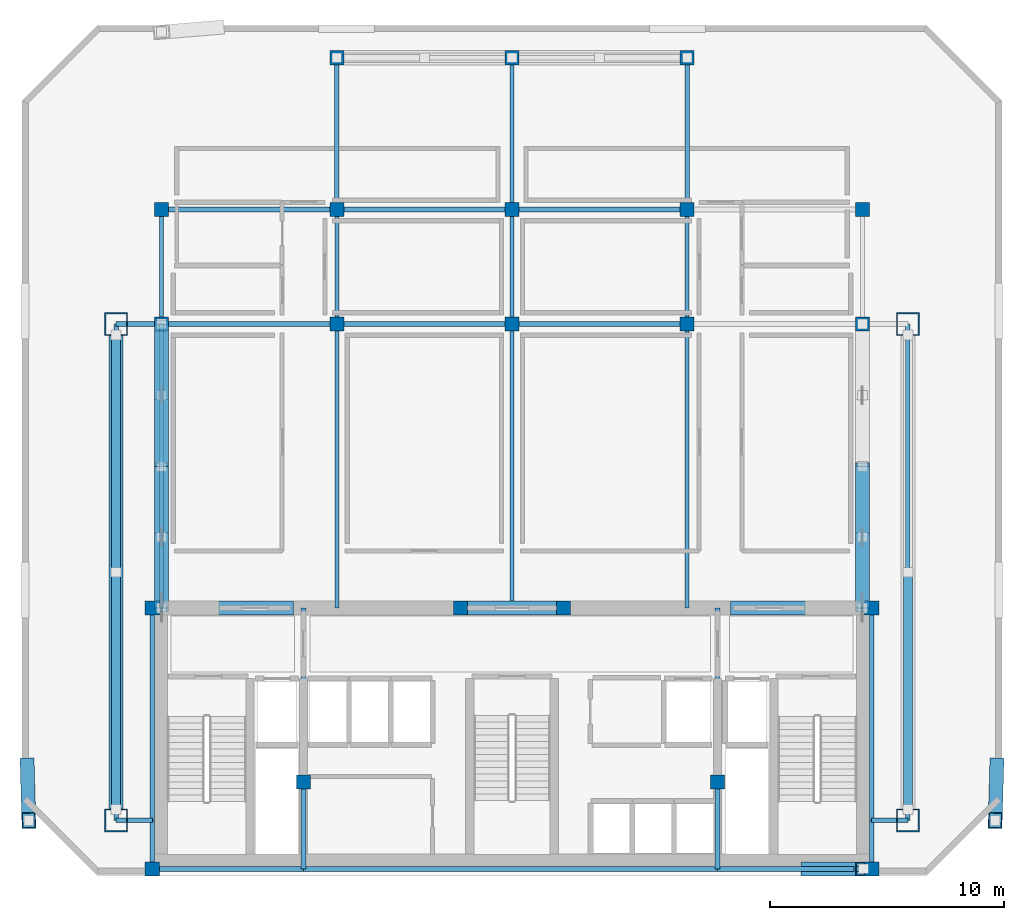
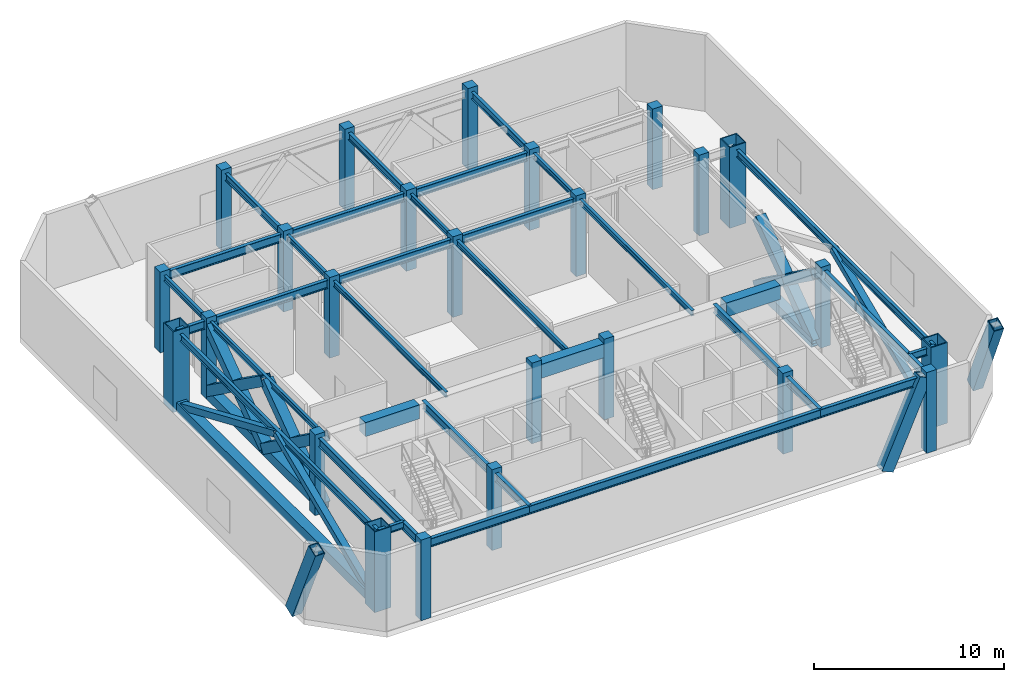
# One storey, part 1 of 7: 36 beams, 25 columns, 19 members.
"""IFC4 building model written with IfcOpenShell, lengths in metres."""

import ifcopenshell
import ifcopenshell.guid

model = None  # the IFC model being written
_history = None  # IfcOwnerHistory: only IFC2X3 demands one
_inside = {}  # id of a spatial element -> (the spatial element, [elements in it])
_under = {}  # id of a project, library or spatial element -> (it, [spatial elements below it])
_declared = {}  # id of a project -> (the project, [libraries it declares])
_typed = {}  # id of a type object -> (the type object, [elements of that type])
_made_of = {}  # id of a material, layer set ... -> (it, [elements and type objects made of it])


def new_model(schema):
    """Start an empty IFC model of exactly this schema.

    Asked for "IFC4X3", IfcOpenShell would pick the latest addendum, in which some entities
    have other attributes; the version numbers below select the first issue.
    IFC2X3 requires an IfcOwnerHistory on every rooted entity: one is made here for all.
    """
    global model, _history
    if schema == "IFC4X3":
        model = ifcopenshell.file(schema_version=(4, 3, 0, 0))
    else:
        model = ifcopenshell.file(schema=schema)
    _inside.clear()
    _under.clear()
    _declared.clear()
    _typed.clear()
    _made_of.clear()
    _history = None
    if model.schema == "IFC2X3":
        org = make("IfcOrganization", Name="unknown")
        user = make(
            "IfcPersonAndOrganization",
            ThePerson=make("IfcPerson", FamilyName="unknown"),
            TheOrganization=org,
        )
        app = make(
            "IfcApplication",
            ApplicationDeveloper=org,
            Version="unknown",
            ApplicationFullName="unknown",
            ApplicationIdentifier="unknown",
        )
        _history = make(
            "IfcOwnerHistory",
            OwningUser=user,
            OwningApplication=app,
            ChangeAction="ADDED",
            CreationDate=0,
        )
    return model


def make(cls, **values):
    """One entity of the class cls with the attributes given. An attribute that is None is left unset."""
    return model.create_entity(
        cls, **{name: value for name, value in values.items() if value is not None}
    )


def rooted(cls, **values):
    """An entity with a GlobalId (a new one), such as an element, a storey or a relation."""
    return make(cls, GlobalId=ifcopenshell.guid.new(), OwnerHistory=_history, **values)


def si_unit(unit_type, name, prefix=None):
    """IfcSIUnit, for example si_unit("LENGTHUNIT", "METRE", prefix="MILLI")."""
    return make("IfcSIUnit", UnitType=unit_type, Prefix=prefix, Name=name)


def assignment(units):
    """IfcUnitAssignment: the units of a project."""
    return None if units is None else make("IfcUnitAssignment", Units=units)


def point(xyz):
    """IfcCartesianPoint."""
    return None if xyz is None else make("IfcCartesianPoint", Coordinates=xyz)


def direction(xyz):
    """IfcDirection."""
    return None if xyz is None else make("IfcDirection", DirectionRatios=xyz)


def frame(location, z_axis=None, x_axis=None):
    """IfcAxis2Placement3D, a coordinate frame: its origin and axes. An axis left out is left unset."""
    return make(
        "IfcAxis2Placement3D",
        Location=point(location),
        Axis=direction(z_axis),
        RefDirection=direction(x_axis),
    )


def frame_2d(location, x_axis=None):
    """IfcAxis2Placement2D, a coordinate frame in the plane: its origin and x axis."""
    return make(
        "IfcAxis2Placement2D", Location=point(location), RefDirection=direction(x_axis)
    )


def origin():
    """The frame at (0, 0, 0) with its axes left unset."""
    return frame((0.0, 0.0, 0.0))


def origin_2d():
    """The frame at (0, 0) in the plane with its x axis left unset."""
    return frame_2d((0.0, 0.0))


def place(relative_to, where):
    """IfcLocalPlacement: puts the frame where relative to a parent placement (None: the world)."""
    return make(
        "IfcLocalPlacement", PlacementRelTo=relative_to, RelativePlacement=where
    )


def context(
    kind, dimensions, precision=None, world=None, true_north=None, identifier=None
):
    """IfcGeometricRepresentationContext, for example the 3D "Model" context."""
    return make(
        "IfcGeometricRepresentationContext",
        ContextIdentifier=identifier,
        ContextType=kind,
        CoordinateSpaceDimension=dimensions,
        Precision=precision,
        WorldCoordinateSystem=world,
        TrueNorth=true_north,
    )


def subcontext(parent, identifier, kind, view, scale=None):
    """IfcGeometricRepresentationSubContext, for example "Body" below "Model"."""
    return make(
        "IfcGeometricRepresentationSubContext",
        ContextIdentifier=identifier,
        ContextType=kind,
        ParentContext=parent,
        TargetScale=scale,
        TargetView=view,
    )


def project(units=None, contexts=None):
    """IfcProject with its units and contexts."""
    return rooted(
        "IfcProject",
        Name="project",
        RepresentationContexts=contexts,
        UnitsInContext=assignment(units),
    )


def spatial(cls, under=None, at=None, **own):
    """A site, building, storey or space (cls), placed at a placement, below another one or the project."""
    s = rooted(cls, ObjectPlacement=at, **own)
    if under is not None:
        _under.setdefault(under.id(), (under, []))[1].append(s)
    return s


def profile(cls, at=None, kind="AREA", **sizes):
    """A parametric profile (cls). Its sizes go by their IFC names, for example OverallWidth=200.0."""
    return make(cls, ProfileType=kind, Position=at, **sizes)


def rectangle(**sizes):
    """IfcRectangleProfileDef."""
    return profile("IfcRectangleProfileDef", **sizes)


def hollow_rectangle(**sizes):
    """IfcRectangleHollowProfileDef."""
    return profile("IfcRectangleHollowProfileDef", **sizes)


def i_section(**sizes):
    """IfcIShapeProfileDef."""
    return profile("IfcIShapeProfileDef", **sizes)


def extrude(swept, where, along, depth):
    """IfcExtrudedAreaSolid: the profile swept, set in the frame where, extruded along a direction by depth."""
    return make(
        "IfcExtrudedAreaSolid",
        SweptArea=swept,
        Position=where,
        ExtrudedDirection=direction(along),
        Depth=depth,
    )


def shape(context_of_items, identifier, shape_type, items):
    """IfcShapeRepresentation: the items that make up one representation, for example the "Body"."""
    return make(
        "IfcShapeRepresentation",
        ContextOfItems=context_of_items,
        RepresentationIdentifier=identifier,
        RepresentationType=shape_type,
        Items=items,
    )


def material(Name=None, Category=None):
    """IfcMaterial."""
    return make("IfcMaterial", Name=Name, Category=Category)


def material_profile(
    of_material, cross_section, Name=None, Category=None, Priority=None
):
    """IfcMaterialProfile: a cross section and its material."""
    return make(
        "IfcMaterialProfile",
        Name=Name,
        Material=of_material,
        Profile=cross_section,
        Priority=Priority,
        Category=Category,
    )


def profile_set(profiles, Name=None, composite=None):
    """IfcMaterialProfileSet."""
    return make(
        "IfcMaterialProfileSet",
        Name=Name,
        MaterialProfiles=profiles,
        CompositeProfile=composite,
    )


def made_of(thing, what):
    """Note that an element or type object is made of a material, layer set ...; save() writes the relation."""
    if what is not None:
        _made_of.setdefault(what.id(), (what, []))[1].append(thing)
    return thing


def type_object(cls, material=None, **own):
    """A type object (cls), such as IfcWallType, which elements share."""
    return made_of(rooted(cls, **own), material)


def element(
    cls,
    number,
    at=None,
    inside=None,
    cuts=None,
    type_object=None,
    material=None,
    context=None,
    identifier="Body",
    shape_type=None,
    held_by="IfcProductDefinitionShape",
    body=None,
    shapes=None,
    **own,
):
    """One element of the class cls, such as IfcWall. Its Tag is "e" and its number.

    at: its placement. inside: the storey or other place that contains it. cuts: it is an
    opening in that element (IfcRelVoidsElement). A single representation is given by context,
    identifier, shape_type and body (its items); several are given by shapes. held_by: the class
    of the entity that holds the representations. save() writes the other relations.
    """
    e = rooted(cls, Tag="e%d" % number, ObjectPlacement=at, **own)
    if body is not None:
        shapes = [shape(context, identifier, shape_type, body)]
    if shapes is not None:
        e.Representation = make(held_by, Representations=shapes)
    if inside is not None:
        _inside.setdefault(inside.id(), (inside, []))[1].append(e)
    if cuts is not None:
        rooted(
            "IfcRelVoidsElement", RelatingBuildingElement=cuts, RelatedOpeningElement=e
        )
    if type_object is not None:
        _typed.setdefault(type_object.id(), (type_object, []))[1].append(e)
    return made_of(e, material)


def aggregate(whole, parts):
    """IfcRelAggregates: a whole, such as a stair, and the parts it consists of."""
    return rooted("IfcRelAggregates", RelatingObject=whole, RelatedObjects=parts)


def save(model, path):
    """Write the relations noted so far, then the file.

    IfcRelAggregates (storeys below a building ...), IfcRelContainedInSpatialStructure (elements
    in a storey), IfcRelDefinesByType, IfcRelAssociatesMaterial and IfcRelDeclares: one each for
    every whole, place, type object, material and project.
    """
    for whole, parts in _under.values():
        aggregate(whole, parts)
    for where, things in _inside.values():
        rooted(
            "IfcRelContainedInSpatialStructure",
            RelatedElements=things,
            RelatingStructure=where,
        )
    for kind, things in _typed.values():
        rooted("IfcRelDefinesByType", RelatedObjects=things, RelatingType=kind)
    for what, things in _made_of.values():
        rooted("IfcRelAssociatesMaterial", RelatedObjects=things, RelatingMaterial=what)
    for by, libraries in _declared.values():
        rooted("IfcRelDeclares", RelatingContext=by, RelatedDefinitions=libraries)
    model.write(path)


model = new_model("IFC4")

# Units and contexts
model_context = context("Model", 3, precision=1e-05, world=origin(), true_north=direction((0.0, 1.0)))
body_context = subcontext(model_context, "Body", "Model", "MODEL_VIEW")
ifc_project = project(units=[si_unit("LENGTHUNIT", "METRE"), si_unit("AREAUNIT", "SQUARE_METRE"), si_unit("VOLUMEUNIT", "CUBIC_METRE"), si_unit("PLANEANGLEUNIT", "RADIAN"), si_unit("MASSUNIT", "GRAM", prefix="KILO")], contexts=[model_context])

# Site, building, storey
site_placement = place(None, origin())
site = spatial("IfcSite", under=ifc_project, at=site_placement, CompositionType="ELEMENT")
building_placement = place(site_placement, origin())
building = spatial("IfcBuilding", under=site, at=building_placement, Name="Ventersveld Concourse Tower", CompositionType="ELEMENT")
storey_placement = place(building_placement, frame((0.0, 0.0, 246.5)))
storey = spatial("IfcBuildingStorey", under=building, at=storey_placement, Name="L61", CompositionType="ELEMENT", Elevation=246.5)

# Columns
ifc_material_1 = material(Name="Concrete C50/60", Category="concrete")
ifc_material_profile_1 = material_profile(ifc_material_1, rectangle(XDim=0.60009765625, YDim=0.60009765625, at=origin_2d()), Name="RC 600x600")
ifc_profile_set_1 = profile_set([ifc_material_profile_1], Name="Concrete C50/60")
column_type_1 = type_object("IfcColumnType", Name="COL-RC600", PredefinedType="COLUMN", material=ifc_profile_set_1)
for number, where, z_axis, x_axis, name in (
    (1, (13.35009765625, 0.280029296875, 0.0), (0.0, 0.0, 1.0), (1.0, 0.0, 0.0), "L61 Core Spine Column CC-SW"),
    (2, (44.14990234375, 0.280029296875, 0.0), (0.0, 0.0, 1.0), (1.0, 0.0, 0.0), "L61 Core Spine Column CC-SE"),
    (3, (13.35009765625, 11.449951171875, 0.0), (0.0, 0.0, 1.0), (1.0, 0.0, 0.0), "L61 Core Spine Column CC-NW"),
    (4, (44.14990234375, 11.449951171875, 0.0), (0.0, 0.0, 1.0), (1.0, 0.0, 0.0), "L61 Core Spine Column CC-NE"),
    (5, (19.820068359375, 4.0, 0.0), (0.0, 0.0, 1.0), (1.0, 0.0, 0.0), "L61 Core Spine Column CM-1"),
    (6, (37.550048828125, 4.0, 0.0), (0.0, 0.0, 1.0), (1.0, 0.0, 0.0), "L61 Core Spine Column CM-2"),
    (7, (26.550048828125, 11.449951171875, 0.0), (0.0, 0.0, 1.0), (1.0, 0.0, 0.0), "L61 Core Spine Column CM-3"),
    (8, (30.949951171875, 11.449951171875, 0.0), (0.0, 0.0, 1.0), (1.0, 0.0, 0.0), "L61 Core Spine Column CM-4"),
    (9, (13.75, 23.60009765625, 0.0), (0.0, 0.0, 1.0), (1.0, 0.0, 0.0), "L61 Interior Gravity Column X=13.75 Y=23.60"),
    (10, (21.25, 23.60009765625, 0.0), (0.0, 0.0, 1.0), (1.0, 0.0, 0.0), "L61 Interior Gravity Column X=21.25 Y=23.60"),
    (11, (28.75, 23.60009765625, 0.0), (0.0, 0.0, 1.0), (1.0, 0.0, 0.0), "L61 Interior Gravity Column X=28.75 Y=23.60"),
    (12, (36.25, 23.60009765625, 0.0), (0.0, 0.0, 1.0), (1.0, 0.0, 0.0), "L61 Interior Gravity Column X=36.25 Y=23.60"),
    (13, (43.75, 23.60009765625, 0.0), (0.0, 0.0, 1.0), (1.0, 0.0, 0.0), "L61 Interior Gravity Column X=43.75 Y=23.60"),
    (14, (13.75, 28.5, 0.0), (0.0, 0.0, 1.0), (1.0, 0.0, 0.0), "L61 Upper-North Gravity Column X=13.75 Y=28.50"),
    (15, (21.25, 28.5, 0.0), (0.0, 0.0, 1.0), (1.0, 0.0, 0.0), "L61 Upper-North Gravity Column X=21.25 Y=28.50"),
    (16, (28.75, 28.5, 0.0), (0.0, 0.0, 1.0), (1.0, 0.0, 0.0), "L61 Upper-North Gravity Column X=28.75 Y=28.50"),
    (17, (36.25, 28.5, 0.0), (0.0, 0.0, 1.0), (1.0, 0.0, 0.0), "L61 Upper-North Gravity Column X=36.25 Y=28.50"),
    (18, (43.75, 28.5, 0.0), (0.0, 0.0, 1.0), (1.0, 0.0, 0.0), "L61 Upper-North Gravity Column X=43.75 Y=28.50"),
    (19, (21.25, 35.0, 0.0), (0.0, 0.0, 1.0), (1.0, 0.0, 0.0), "L61 Mid-North Column X=21.25 Y=35.00"),
    (20, (28.75, 35.0, 0.0), (0.0, 0.0, 1.0), (1.0, 0.0, 0.0), "L61 Mid-North Column X=28.75 Y=35.00"),
    (21, (36.25, 35.0, 0.0), (0.0, 0.0, 1.0), (1.0, 0.0, 0.0), "L61 Mid-North Column X=36.25 Y=35.00"),
):
    element("IfcColumn", number, at=place(storey_placement, frame(where, z_axis=z_axis, x_axis=x_axis)), inside=storey, type_object=column_type_1, Name=name, PredefinedType="COLUMN", context=body_context, shape_type="SweptSolid", body=[
        extrude(rectangle(XDim=0.60009765625, YDim=0.60009765625, at=origin_2d()), origin(), (0.0, 0.0, 1.0), 5.199951171875),
    ])
ifc_material_2 = material(Name="Structural steel S460ML", Category="steel")
ifc_material_profile_2 = material_profile(ifc_material_2, hollow_rectangle(XDim=1.0, YDim=1.0, WallThickness=0.06005859375, at=origin_2d()), Name="BOX 1000x1000x60")
ifc_profile_set_2 = profile_set([ifc_material_profile_2], Name="Structural steel S460ML")
column_type_2 = type_object("IfcColumnType", Name="MC-1000", PredefinedType="USERDEFINED", material=ifc_profile_set_2)
for number, where, z_axis, x_axis, name in (
    (22, (11.800048828125, 2.35009765625, 0.0), (0.0, 0.0, 1.0), (1.0, 0.0, 0.0), "L61 Corner Mega-Column MC-SW"),
    (23, (45.699951171875, 2.35009765625, 0.0), (0.0, 0.0, 1.0), (1.0, 0.0, 0.0), "L61 Corner Mega-Column MC-SE"),
    (24, (45.699951171875, 23.60009765625, 0.0), (0.0, 0.0, 1.0), (1.0, 0.0, 0.0), "L61 Corner Mega-Column MC-NE"),
    (25, (11.800048828125, 23.60009765625, 0.0), (0.0, 0.0, 1.0), (1.0, 0.0, 0.0), "L61 Corner Mega-Column MC-NW"),
):
    element("IfcColumn", number, at=place(storey_placement, frame(where, z_axis=z_axis, x_axis=x_axis)), inside=storey, type_object=column_type_2, Name=name, ObjectType="MEGA_COLUMN", PredefinedType="USERDEFINED", context=body_context, shape_type="SweptSolid", body=[
        extrude(hollow_rectangle(XDim=1.0, YDim=1.0, WallThickness=0.06005859375, at=origin_2d()), origin(), (0.0, 0.0, 1.0), 5.199951171875),
    ])

# Members
ifc_material_3 = material(Name="Structural steel S355ML", Category="steel")
ifc_material_profile_3 = material_profile(ifc_material_3, hollow_rectangle(XDim=0.39990234375, YDim=0.39990234375, WallThickness=0.02001953125, at=origin_2d()), Name="SHS 400x400x20")
ifc_profile_set_3 = profile_set([ifc_material_profile_3], Name="Structural steel S355ML")
member_type_1 = type_object("IfcMemberType", Name="BLT-BR-400", PredefinedType="BRACE", material=ifc_profile_set_3)
member_1_placement = place(storey_placement, frame((11.800048828125, 2.820068359375, 0.300048828125), z_axis=(0.0, 0.918563769429, 0.395272819065), x_axis=(-1.0, 0.0, 0.0)))
element("IfcMember", 26, at=member_1_placement, inside=storey, type_object=member_type_1, Name="L61 Belt Truss Chevron Diagonal W1-1", PredefinedType="BRACE", context=body_context, shape_type="SweptSolid", body=[
    extrude(hollow_rectangle(XDim=0.39990234375, YDim=0.39990234375, WallThickness=0.02001953125, at=origin_2d()), origin(), (0.0, 0.0, 1.0), 11.055419921875),
])
member_2_placement = place(storey_placement, frame((11.800048828125, 23.1298828125, 0.300048828125), z_axis=(0.0, -0.918560318983, 0.395280837368), x_axis=(1.0, 0.0, 0.0)))
element("IfcMember", 27, at=member_2_placement, inside=storey, type_object=member_type_1, Name="L61 Belt Truss Chevron Diagonal W1-2", PredefinedType="BRACE", context=body_context, shape_type="SweptSolid", body=[
    extrude(hollow_rectangle(XDim=0.39990234375, YDim=0.39990234375, WallThickness=0.02001953125, at=origin_2d()), origin(), (0.0, 0.0, 1.0), 11.05517578125),
])
member_3_placement = place(storey_placement, frame((45.699951171875, 2.820068359375, 0.300048828125), z_axis=(0.0, 0.918563769429, 0.395272819065), x_axis=(-1.0, 0.0, 0.0)))
element("IfcMember", 28, at=member_3_placement, inside=storey, type_object=member_type_1, Name="L61 Belt Truss Chevron Diagonal E1-1", PredefinedType="BRACE", context=body_context, shape_type="SweptSolid", body=[
    extrude(hollow_rectangle(XDim=0.39990234375, YDim=0.39990234375, WallThickness=0.02001953125, at=origin_2d()), origin(), (0.0, 0.0, 1.0), 11.055419921875),
])

# Beams
ifc_material_4 = material(Name="Structural steel S355J2", Category="steel")
ifc_material_profile_4 = material_profile(ifc_material_4, i_section(OverallWidth=0.17138671875, OverallDepth=0.35498046875, WebThickness=0.00732421875, FlangeThickness=0.011474609375, FilletRadius=0.01025390625, at=origin_2d()), Name="UB 356x171x51")
ifc_profile_set_4 = profile_set([ifc_material_profile_4], Name="Structural steel S355J2")
beam_type_1 = type_object("IfcBeamType", Name="BM-UB356", PredefinedType="BEAM", material=ifc_profile_set_4)
beam_1_placement = place(storey_placement, frame((13.75, 11.449951171875, 4.742431640625), z_axis=(0.0, 1.0, 0.0), x_axis=(-1.0, 0.0, 0.0)))
element("IfcBeam", 29, at=beam_1_placement, inside=storey, type_object=beam_type_1, Name="L61 N-S Composite Floor Beam South X=13.75", PredefinedType="BEAM", context=body_context, shape_type="SweptSolid", body=[
    extrude(i_section(OverallWidth=0.17138671875, OverallDepth=0.35498046875, WebThickness=0.00732421875, FlangeThickness=0.011474609375, FilletRadius=0.01025390625, at=origin_2d()), origin(), (0.0, 0.0, 1.0), 12.150146484375),
])
beam_2_placement = place(storey_placement, frame((13.75, 23.60009765625, 4.742431640625), z_axis=(0.0, 1.0, 0.0), x_axis=(-1.0, 0.0, 0.0)))
element("IfcBeam", 30, at=beam_2_placement, inside=storey, type_object=beam_type_1, Name="L61 N-S Upper-Zone Floor Beam X=13.75", PredefinedType="BEAM", context=body_context, shape_type="SweptSolid", body=[
    extrude(i_section(OverallWidth=0.17138671875, OverallDepth=0.35498046875, WebThickness=0.00732421875, FlangeThickness=0.011474609375, FilletRadius=0.01025390625, at=origin_2d()), origin(), (0.0, 0.0, 1.0), 4.89990234375),
])
beam_3_placement = place(storey_placement, frame((21.25, 11.449951171875, 4.742431640625), z_axis=(0.0, 1.0, 0.0), x_axis=(-1.0, 0.0, 0.0)))
element("IfcBeam", 31, at=beam_3_placement, inside=storey, type_object=beam_type_1, Name="L61 N-S Composite Floor Beam South X=21.25", PredefinedType="BEAM", context=body_context, shape_type="SweptSolid", body=[
    extrude(i_section(OverallWidth=0.17138671875, OverallDepth=0.35498046875, WebThickness=0.00732421875, FlangeThickness=0.011474609375, FilletRadius=0.01025390625, at=origin_2d()), origin(), (0.0, 0.0, 1.0), 12.150146484375),
])
beam_4_placement = place(storey_placement, frame((21.25, 23.60009765625, 4.742431640625), z_axis=(0.0, 1.0, 0.0), x_axis=(-1.0, 0.0, 0.0)))
element("IfcBeam", 32, at=beam_4_placement, inside=storey, type_object=beam_type_1, Name="L61 N-S Upper-Zone Floor Beam X=21.25", PredefinedType="BEAM", context=body_context, shape_type="SweptSolid", body=[
    extrude(i_section(OverallWidth=0.17138671875, OverallDepth=0.35498046875, WebThickness=0.00732421875, FlangeThickness=0.011474609375, FilletRadius=0.01025390625, at=origin_2d()), origin(), (0.0, 0.0, 1.0), 4.89990234375),
])
beam_5_placement = place(storey_placement, frame((28.75, 11.449951171875, 4.742431640625), z_axis=(0.0, 1.0, 0.0), x_axis=(-1.0, 0.0, 0.0)))
element("IfcBeam", 33, at=beam_5_placement, inside=storey, type_object=beam_type_1, Name="L61 N-S Composite Floor Beam South X=28.75", PredefinedType="BEAM", context=body_context, shape_type="SweptSolid", body=[
    extrude(i_section(OverallWidth=0.17138671875, OverallDepth=0.35498046875, WebThickness=0.00732421875, FlangeThickness=0.011474609375, FilletRadius=0.01025390625, at=origin_2d()), origin(), (0.0, 0.0, 1.0), 12.150146484375),
])
beam_6_placement = place(storey_placement, frame((28.75, 23.60009765625, 4.742431640625), z_axis=(0.0, 1.0, 0.0), x_axis=(-1.0, 0.0, 0.0)))
element("IfcBeam", 34, at=beam_6_placement, inside=storey, type_object=beam_type_1, Name="L61 N-S Upper-Zone Floor Beam X=28.75", PredefinedType="BEAM", context=body_context, shape_type="SweptSolid", body=[
    extrude(i_section(OverallWidth=0.17138671875, OverallDepth=0.35498046875, WebThickness=0.00732421875, FlangeThickness=0.011474609375, FilletRadius=0.01025390625, at=origin_2d()), origin(), (0.0, 0.0, 1.0), 4.89990234375),
])
beam_7_placement = place(storey_placement, frame((36.25, 11.449951171875, 4.742431640625), z_axis=(0.0, 1.0, 0.0), x_axis=(-1.0, 0.0, 0.0)))
element("IfcBeam", 35, at=beam_7_placement, inside=storey, type_object=beam_type_1, Name="L61 N-S Composite Floor Beam South X=36.25", PredefinedType="BEAM", context=body_context, shape_type="SweptSolid", body=[
    extrude(i_section(OverallWidth=0.17138671875, OverallDepth=0.35498046875, WebThickness=0.00732421875, FlangeThickness=0.011474609375, FilletRadius=0.01025390625, at=origin_2d()), origin(), (0.0, 0.0, 1.0), 12.150146484375),
])
beam_8_placement = place(storey_placement, frame((36.25, 23.60009765625, 4.742431640625), z_axis=(0.0, 1.0, 0.0), x_axis=(-1.0, 0.0, 0.0)))
element("IfcBeam", 36, at=beam_8_placement, inside=storey, type_object=beam_type_1, Name="L61 N-S Upper-Zone Floor Beam X=36.25", PredefinedType="BEAM", context=body_context, shape_type="SweptSolid", body=[
    extrude(i_section(OverallWidth=0.17138671875, OverallDepth=0.35498046875, WebThickness=0.00732421875, FlangeThickness=0.011474609375, FilletRadius=0.01025390625, at=origin_2d()), origin(), (0.0, 0.0, 1.0), 4.89990234375),
])
ifc_material_profile_5 = material_profile(ifc_material_1, rectangle(XDim=0.60009765625, YDim=0.89990234375, at=origin_2d()), Name="RC 600x900")
ifc_profile_set_5 = profile_set([ifc_material_profile_5], Name="Concrete C50/60")
beam_type_2 = type_object("IfcBeamType", Name="CB-RC600x900U", PredefinedType="LINTEL", material=ifc_profile_set_5)
beam_9_placement = place(storey_placement, frame((16.10009765625, 11.449951171875, 4.469970703125), z_axis=(1.0, 0.0, 0.0), x_axis=(0.0, 1.0, 0.0)))
element("IfcBeam", 37, at=beam_9_placement, inside=storey, type_object=beam_type_2, Name="L61 Core Coupling Lintel Beam 1", PredefinedType="LINTEL", context=body_context, shape_type="SweptSolid", body=[
    extrude(rectangle(XDim=0.60009765625, YDim=0.89990234375, at=origin_2d()), origin(), (0.0, 0.0, 1.0), 3.2998046875),
])
beam_10_placement = place(storey_placement, frame((26.5, 11.449951171875, 4.469970703125), z_axis=(1.0, 0.0, 0.0), x_axis=(0.0, 1.0, 0.0)))
element("IfcBeam", 38, at=beam_10_placement, inside=storey, type_object=beam_type_2, Name="L61 Core Coupling Lintel Beam 2", PredefinedType="LINTEL", context=body_context, shape_type="SweptSolid", body=[
    extrude(rectangle(XDim=0.60009765625, YDim=0.89990234375, at=origin_2d()), origin(), (0.0, 0.0, 1.0), 4.5),
])
beam_11_placement = place(storey_placement, frame((38.10009765625, 11.449951171875, 4.469970703125), z_axis=(1.0, 0.0, 0.0), x_axis=(0.0, 1.0, 0.0)))
element("IfcBeam", 39, at=beam_11_placement, inside=storey, type_object=beam_type_2, Name="L61 Core Coupling Lintel Beam 3", PredefinedType="LINTEL", context=body_context, shape_type="SweptSolid", body=[
    extrude(rectangle(XDim=0.60009765625, YDim=0.89990234375, at=origin_2d()), origin(), (0.0, 0.0, 1.0), 3.2998046875),
])
ifc_material_profile_6 = material_profile(ifc_material_4, i_section(OverallWidth=0.2119140625, OverallDepth=0.54443359375, WebThickness=0.0126953125, FlangeThickness=0.021240234375, FilletRadius=0.0126953125, at=origin_2d()), Name="UB 533x210x122")
ifc_profile_set_6 = profile_set([ifc_material_profile_6], Name="Structural steel S355J2")
beam_type_3 = type_object("IfcBeamType", Name="GRD-UB533H", PredefinedType="T_BEAM", material=ifc_profile_set_6)
beam_12_placement = place(storey_placement, frame((13.35009765625, 0.280029296875, 4.647705078125), z_axis=(0.0, 1.0, 0.0), x_axis=(-1.0, 0.0, 0.0)))
element("IfcBeam", 40, at=beam_12_placement, inside=storey, type_object=beam_type_3, Name="L61 Core West Tie Beam S", PredefinedType="T_BEAM", context=body_context, shape_type="SweptSolid", body=[
    extrude(i_section(OverallWidth=0.2119140625, OverallDepth=0.54443359375, WebThickness=0.0126953125, FlangeThickness=0.021240234375, FilletRadius=0.0126953125, at=origin_2d()), origin(), (0.0, 0.0, 1.0), 2.070068359375),
])
beam_13_placement = place(storey_placement, frame((13.35009765625, 2.35009765625, 4.647705078125), z_axis=(0.0, 1.0, 0.0), x_axis=(-1.0, 0.0, 0.0)))
element("IfcBeam", 41, at=beam_13_placement, inside=storey, type_object=beam_type_3, Name="L61 Core West Tie Beam N", PredefinedType="T_BEAM", context=body_context, shape_type="SweptSolid", body=[
    extrude(i_section(OverallWidth=0.2119140625, OverallDepth=0.54443359375, WebThickness=0.0126953125, FlangeThickness=0.021240234375, FilletRadius=0.0126953125, at=origin_2d()), origin(), (0.0, 0.0, 1.0), 9.099853515625),
])
beam_14_placement = place(storey_placement, frame((44.14990234375, 0.280029296875, 4.647705078125), z_axis=(0.0, 1.0, 0.0), x_axis=(-1.0, 0.0, 0.0)))
element("IfcBeam", 42, at=beam_14_placement, inside=storey, type_object=beam_type_3, Name="L61 Core East Tie Beam S", PredefinedType="T_BEAM", context=body_context, shape_type="SweptSolid", body=[
    extrude(i_section(OverallWidth=0.2119140625, OverallDepth=0.54443359375, WebThickness=0.0126953125, FlangeThickness=0.021240234375, FilletRadius=0.0126953125, at=origin_2d()), origin(), (0.0, 0.0, 1.0), 2.070068359375),
])
beam_15_placement = place(storey_placement, frame((44.14990234375, 2.35009765625, 4.647705078125), z_axis=(0.0, 1.0, 0.0), x_axis=(-1.0, 0.0, 0.0)))
element("IfcBeam", 43, at=beam_15_placement, inside=storey, type_object=beam_type_3, Name="L61 Core East Tie Beam N", PredefinedType="T_BEAM", context=body_context, shape_type="SweptSolid", body=[
    extrude(i_section(OverallWidth=0.2119140625, OverallDepth=0.54443359375, WebThickness=0.0126953125, FlangeThickness=0.021240234375, FilletRadius=0.0126953125, at=origin_2d()), origin(), (0.0, 0.0, 1.0), 9.099853515625),
])
beam_16_placement = place(storey_placement, frame((13.35009765625, 0.280029296875, 4.647705078125), z_axis=(1.0, 0.0, 0.0), x_axis=(0.0, 1.0, 0.0)))
element("IfcBeam", 44, at=beam_16_placement, inside=storey, type_object=beam_type_3, Name="L61 Core South Tie Beam W", PredefinedType="T_BEAM", context=body_context, shape_type="SweptSolid", body=[
    extrude(i_section(OverallWidth=0.2119140625, OverallDepth=0.54443359375, WebThickness=0.0126953125, FlangeThickness=0.021240234375, FilletRadius=0.0126953125, at=origin_2d()), origin(), (0.0, 0.0, 1.0), 6.469970703125),
])
beam_17_placement = place(storey_placement, frame((19.820068359375, 0.280029296875, 4.647705078125), z_axis=(1.0, 0.0, 0.0), x_axis=(0.0, 1.0, 0.0)))
element("IfcBeam", 45, at=beam_17_placement, inside=storey, type_object=beam_type_3, Name="L61 Core South Tie Beam C", PredefinedType="T_BEAM", context=body_context, shape_type="SweptSolid", body=[
    extrude(i_section(OverallWidth=0.2119140625, OverallDepth=0.54443359375, WebThickness=0.0126953125, FlangeThickness=0.021240234375, FilletRadius=0.0126953125, at=origin_2d()), origin(), (0.0, 0.0, 1.0), 17.72998046875),
])
beam_18_placement = place(storey_placement, frame((37.550048828125, 0.280029296875, 4.647705078125), z_axis=(1.0, 0.0, 0.0), x_axis=(0.0, 1.0, 0.0)))
element("IfcBeam", 46, at=beam_18_placement, inside=storey, type_object=beam_type_3, Name="L61 Core South Tie Beam E", PredefinedType="T_BEAM", context=body_context, shape_type="SweptSolid", body=[
    extrude(i_section(OverallWidth=0.2119140625, OverallDepth=0.54443359375, WebThickness=0.0126953125, FlangeThickness=0.021240234375, FilletRadius=0.0126953125, at=origin_2d()), origin(), (0.0, 0.0, 1.0), 6.599853515625),
])
beam_19_placement = place(storey_placement, frame((19.820068359375, 0.280029296875, 4.647705078125), z_axis=(0.0, 1.0, 0.0), x_axis=(-1.0, 0.0, 0.0)))
element("IfcBeam", 47, at=beam_19_placement, inside=storey, type_object=beam_type_3, Name="L61 Core Spine N-S Tie Beam W1", PredefinedType="T_BEAM", context=body_context, shape_type="SweptSolid", body=[
    extrude(i_section(OverallWidth=0.2119140625, OverallDepth=0.54443359375, WebThickness=0.0126953125, FlangeThickness=0.021240234375, FilletRadius=0.0126953125, at=origin_2d()), origin(), (0.0, 0.0, 1.0), 3.719970703125),
])
beam_20_placement = place(storey_placement, frame((19.820068359375, 4.0, 4.647705078125), z_axis=(0.0, 1.0, 0.0), x_axis=(-1.0, 0.0, 0.0)))
element("IfcBeam", 48, at=beam_20_placement, inside=storey, type_object=beam_type_3, Name="L61 Core Spine N-S Tie Beam W2", PredefinedType="T_BEAM", context=body_context, shape_type="SweptSolid", body=[
    extrude(i_section(OverallWidth=0.2119140625, OverallDepth=0.54443359375, WebThickness=0.0126953125, FlangeThickness=0.021240234375, FilletRadius=0.0126953125, at=origin_2d()), origin(), (0.0, 0.0, 1.0), 7.449951171875),
])
beam_21_placement = place(storey_placement, frame((37.550048828125, 0.280029296875, 4.647705078125), z_axis=(0.0, 1.0, 0.0), x_axis=(-1.0, 0.0, 0.0)))
element("IfcBeam", 49, at=beam_21_placement, inside=storey, type_object=beam_type_3, Name="L61 Core Spine N-S Tie Beam E1", PredefinedType="T_BEAM", context=body_context, shape_type="SweptSolid", body=[
    extrude(i_section(OverallWidth=0.2119140625, OverallDepth=0.54443359375, WebThickness=0.0126953125, FlangeThickness=0.021240234375, FilletRadius=0.0126953125, at=origin_2d()), origin(), (0.0, 0.0, 1.0), 3.719970703125),
])
beam_22_placement = place(storey_placement, frame((37.550048828125, 4.0, 4.647705078125), z_axis=(0.0, 1.0, 0.0), x_axis=(-1.0, 0.0, 0.0)))
element("IfcBeam", 50, at=beam_22_placement, inside=storey, type_object=beam_type_3, Name="L61 Core Spine N-S Tie Beam E2", PredefinedType="T_BEAM", context=body_context, shape_type="SweptSolid", body=[
    extrude(i_section(OverallWidth=0.2119140625, OverallDepth=0.54443359375, WebThickness=0.0126953125, FlangeThickness=0.021240234375, FilletRadius=0.0126953125, at=origin_2d()), origin(), (0.0, 0.0, 1.0), 7.449951171875),
])
beam_23_placement = place(storey_placement, frame((11.800048828125, 23.60009765625, 4.647705078125), z_axis=(1.0, 0.0, 0.0), x_axis=(0.0, 1.0, 0.0)))
element("IfcBeam", 51, at=beam_23_placement, inside=storey, type_object=beam_type_3, Name="L61 Primary E-W Grid Girder Y=23.60 #1", PredefinedType="T_BEAM", context=body_context, shape_type="SweptSolid", body=[
    extrude(i_section(OverallWidth=0.2119140625, OverallDepth=0.54443359375, WebThickness=0.0126953125, FlangeThickness=0.021240234375, FilletRadius=0.0126953125, at=origin_2d()), origin(), (0.0, 0.0, 1.0), 1.949951171875),
])
for number, where, z_axis, x_axis, name in (
    (52, (13.75, 23.60009765625, 4.647705078125), (1.0, 0.0, 0.0), (0.0, 1.0, 0.0), "L61 Primary E-W Grid Girder Y=23.60 #2"),
    (53, (21.25, 23.60009765625, 4.647705078125), (1.0, 0.0, 0.0), (0.0, 1.0, 0.0), "L61 Primary E-W Grid Girder Y=23.60 #3"),
    (54, (28.75, 23.60009765625, 4.647705078125), (1.0, 0.0, 0.0), (0.0, 1.0, 0.0), "L61 Primary E-W Grid Girder Y=23.60 #4"),
    (55, (13.75, 28.5, 4.647705078125), (1.0, 0.0, 0.0), (0.0, 1.0, 0.0), "L61 Upper-North E-W Girder Y=28.50 #1"),
    (56, (21.25, 28.5, 4.647705078125), (1.0, 0.0, 0.0), (0.0, 1.0, 0.0), "L61 Upper-North E-W Girder Y=28.50 #2"),
    (57, (28.75, 28.5, 4.647705078125), (1.0, 0.0, 0.0), (0.0, 1.0, 0.0), "L61 Upper-North E-W Girder Y=28.50 #3"),
):
    element("IfcBeam", number, at=place(storey_placement, frame(where, z_axis=z_axis, x_axis=x_axis)), inside=storey, type_object=beam_type_3, Name=name, PredefinedType="T_BEAM", context=body_context, shape_type="SweptSolid", body=[
        extrude(i_section(OverallWidth=0.2119140625, OverallDepth=0.54443359375, WebThickness=0.0126953125, FlangeThickness=0.021240234375, FilletRadius=0.0126953125, at=origin_2d()), origin(), (0.0, 0.0, 1.0), 7.5),
    ])

# Members
ifc_material_profile_7 = material_profile(ifc_material_3, hollow_rectangle(XDim=0.60009765625, YDim=0.75, WallThickness=0.0400390625, at=origin_2d()), Name="BOX 750x600x40")
ifc_profile_set_7 = profile_set([ifc_material_profile_7], Name="Structural steel S355ML")
member_type_2 = type_object("IfcMemberType", Name="MB-750x600", PredefinedType="BRACE", material=ifc_profile_set_7)
member_4_placement = place(storey_placement, frame((41.4716796875, 0.280029296875, -0.35009765625), z_axis=(0.40412839508, 0.0, 0.914702268659), x_axis=(0.0, 1.0, 0.0)))
element("IfcMember", 58, at=member_4_placement, inside=storey, type_object=member_type_2, Name="L61 Exterior Mega-Brace S (Module M14)", PredefinedType="BRACE", context=body_context, shape_type="SweptSolid", body=[
    extrude(hollow_rectangle(XDim=0.60009765625, YDim=0.75, WallThickness=0.0400390625, at=origin_2d()), origin(), (0.0, 0.0, 1.0), 5.761474609375),
])
for number, where, z_axis, x_axis, name in (
    (59, (7.998291015625, 4.678466796875, -0.35009765625), (0.011482811632, -0.404101751035, 0.914641962654), (0.999596519904, 0.028404179186, 0.0), "L61 Exterior Mega-Brace W (Module M14)"),
    (60, (49.501708984375, 4.678466796875, -0.35009765625), (-0.011482811632, -0.404101751035, 0.914641962654), (0.999596519904, -0.028404179186, 0.0), "L61 Exterior Mega-Brace E (Module M14)"),
):
    element("IfcMember", number, at=place(storey_placement, frame(where, z_axis=z_axis, x_axis=x_axis)), inside=storey, type_object=member_type_2, Name=name, PredefinedType="BRACE", context=body_context, shape_type="SweptSolid", body=[
        extrude(hollow_rectangle(XDim=0.60009765625, YDim=0.75, WallThickness=0.0400390625, at=origin_2d()), origin(), (0.0, 0.0, 1.0), 5.76171875),
    ])
ifc_material_profile_8 = material_profile(ifc_material_3, hollow_rectangle(XDim=0.60009765625, YDim=0.60009765625, WallThickness=0.0400390625, at=origin_2d()), Name="BOX 600x600x40")
ifc_profile_set_8 = profile_set([ifc_material_profile_8], Name="Structural steel S355ML")
member_type_3 = type_object("IfcMemberType", Name="OUT-BR-600", PredefinedType="BRACE", material=ifc_profile_set_8)
member_5_placement = place(storey_placement, frame((13.75, 11.449951171875, 0.300048828125), z_axis=(0.0, 0.810654212041, 0.58552519032), x_axis=(-1.0, 0.0, 0.0)))
element("IfcMember", 61, at=member_5_placement, inside=storey, type_object=member_type_3, Name="L61 Outrigger Truss Continuous Diagonal W-1A", PredefinedType="BRACE", context=body_context, shape_type="SweptSolid", body=[
    extrude(hollow_rectangle(XDim=0.60009765625, YDim=0.60009765625, WallThickness=0.0400390625, at=origin_2d()), origin(), (0.0, 0.0, 1.0), 7.463134765625),
])
member_6_placement = place(storey_placement, frame((13.75, 11.449951171875, 4.669921875), z_axis=(0.0, 0.810680953599, -0.5854881651), x_axis=(-1.0, 0.0, 0.0)))
element("IfcMember", 62, at=member_6_placement, inside=storey, type_object=member_type_3, Name="L61 Outrigger Truss Split X-Diagonal W-1B1", PredefinedType="BRACE", context=body_context, shape_type="SweptSolid", body=[
    extrude(hollow_rectangle(XDim=0.60009765625, YDim=0.60009765625, WallThickness=0.0400390625, at=origin_2d()), origin(), (0.0, 0.0, 1.0), 3.731689453125),
])
member_7_placement = place(storey_placement, frame((13.75, 14.47509765625, 2.485107421875), z_axis=(0.0, 0.810627468399, -0.585562214864), x_axis=(-1.0, 0.0, 0.0)))
element("IfcMember", 63, at=member_7_placement, inside=storey, type_object=member_type_3, Name="L61 Outrigger Truss Split X-Diagonal W-1B2", PredefinedType="BRACE", context=body_context, shape_type="SweptSolid", body=[
    extrude(hollow_rectangle(XDim=0.60009765625, YDim=0.60009765625, WallThickness=0.0400390625, at=origin_2d()), origin(), (0.0, 0.0, 1.0), 3.7314453125),
])
member_8_placement = place(storey_placement, frame((13.75, 17.5, 4.669921875), z_axis=(0.0, 0.812934702546, -0.58235484835), x_axis=(-1.0, 0.0, 0.0)))
element("IfcMember", 64, at=member_8_placement, inside=storey, type_object=member_type_3, Name="L61 Outrigger Truss Continuous Diagonal W-2A", PredefinedType="BRACE", context=body_context, shape_type="SweptSolid", body=[
    extrude(hollow_rectangle(XDim=0.60009765625, YDim=0.60009765625, WallThickness=0.0400390625, at=origin_2d()), origin(), (0.0, 0.0, 1.0), 7.50390625),
])
member_9_placement = place(storey_placement, frame((13.75, 17.5, 0.300048828125), z_axis=(0.0, 0.812919299661, 0.582376349313), x_axis=(-1.0, 0.0, 0.0)))
element("IfcMember", 65, at=member_9_placement, inside=storey, type_object=member_type_3, Name="L61 Outrigger Truss Split X-Diagonal W-2B1", PredefinedType="BRACE", context=body_context, shape_type="SweptSolid", body=[
    extrude(hollow_rectangle(XDim=0.60009765625, YDim=0.60009765625, WallThickness=0.0400390625, at=origin_2d()), origin(), (0.0, 0.0, 1.0), 3.751953125),
])
member_10_placement = place(storey_placement, frame((13.75, 20.550048828125, 2.485107421875), z_axis=(0.0, 0.812950105446, 0.582333346165), x_axis=(-1.0, 0.0, 0.0)))
element("IfcMember", 66, at=member_10_placement, inside=storey, type_object=member_type_3, Name="L61 Outrigger Truss Split X-Diagonal W-2B2", PredefinedType="BRACE", context=body_context, shape_type="SweptSolid", body=[
    extrude(hollow_rectangle(XDim=0.60009765625, YDim=0.60009765625, WallThickness=0.0400390625, at=origin_2d()), origin(), (0.0, 0.0, 1.0), 3.751708984375),
])
member_11_placement = place(storey_placement, frame((43.75, 11.449951171875, 0.300048828125), z_axis=(0.0, 0.810654212041, 0.58552519032), x_axis=(-1.0, 0.0, 0.0)))
element("IfcMember", 67, at=member_11_placement, inside=storey, type_object=member_type_3, Name="L61 Outrigger Truss Continuous Diagonal E-1A", PredefinedType="BRACE", context=body_context, shape_type="SweptSolid", body=[
    extrude(hollow_rectangle(XDim=0.60009765625, YDim=0.60009765625, WallThickness=0.0400390625, at=origin_2d()), origin(), (0.0, 0.0, 1.0), 7.463134765625),
])
member_12_placement = place(storey_placement, frame((43.75, 11.449951171875, 4.669921875), z_axis=(0.0, 0.810680953599, -0.5854881651), x_axis=(-1.0, 0.0, 0.0)))
element("IfcMember", 68, at=member_12_placement, inside=storey, type_object=member_type_3, Name="L61 Outrigger Truss Split X-Diagonal E-1B1", PredefinedType="BRACE", context=body_context, shape_type="SweptSolid", body=[
    extrude(hollow_rectangle(XDim=0.60009765625, YDim=0.60009765625, WallThickness=0.0400390625, at=origin_2d()), origin(), (0.0, 0.0, 1.0), 3.731689453125),
])
member_13_placement = place(storey_placement, frame((43.75, 14.47509765625, 2.485107421875), z_axis=(0.0, 0.810627468399, -0.585562214864), x_axis=(-1.0, 0.0, 0.0)))
element("IfcMember", 69, at=member_13_placement, inside=storey, type_object=member_type_3, Name="L61 Outrigger Truss Split X-Diagonal E-1B2", PredefinedType="BRACE", context=body_context, shape_type="SweptSolid", body=[
    extrude(hollow_rectangle(XDim=0.60009765625, YDim=0.60009765625, WallThickness=0.0400390625, at=origin_2d()), origin(), (0.0, 0.0, 1.0), 3.7314453125),
])
ifc_material_profile_9 = material_profile(ifc_material_3, hollow_rectangle(XDim=0.60009765625, YDim=0.60009765625, WallThickness=0.0400390625, at=origin_2d()), Name="BOX 600x600x40")
ifc_profile_set_9 = profile_set([ifc_material_profile_9], Name="Structural steel S355ML")
member_type_4 = type_object("IfcMemberType", Name="OUT-CH-600", PredefinedType="CHORD", material=ifc_profile_set_9)
member_14_placement = place(storey_placement, frame((13.75, 11.449951171875, 0.300048828125), z_axis=(0.0, 1.0, 0.0), x_axis=(-1.0, 0.0, 0.0)))
element("IfcMember", 70, at=member_14_placement, inside=storey, type_object=member_type_4, Name="L61 Outrigger Truss Bottom Chord W-1", PredefinedType="CHORD", context=body_context, shape_type="SweptSolid", body=[
    extrude(hollow_rectangle(XDim=0.60009765625, YDim=0.60009765625, WallThickness=0.0400390625, at=origin_2d()), origin(), (0.0, 0.0, 1.0), 6.050048828125),
])
member_15_placement = place(storey_placement, frame((13.75, 17.5, 0.300048828125), z_axis=(0.0, 1.0, 0.0), x_axis=(-1.0, 0.0, 0.0)))
element("IfcMember", 71, at=member_15_placement, inside=storey, type_object=member_type_4, Name="L61 Outrigger Truss Bottom Chord W-2", PredefinedType="CHORD", context=body_context, shape_type="SweptSolid", body=[
    extrude(hollow_rectangle(XDim=0.60009765625, YDim=0.60009765625, WallThickness=0.0400390625, at=origin_2d()), origin(), (0.0, 0.0, 1.0), 6.10009765625),
])
member_16_placement = place(storey_placement, frame((43.75, 11.449951171875, 0.300048828125), z_axis=(0.0, 1.0, 0.0), x_axis=(-1.0, 0.0, 0.0)))
element("IfcMember", 72, at=member_16_placement, inside=storey, type_object=member_type_4, Name="L61 Outrigger Truss Bottom Chord E-1", PredefinedType="CHORD", context=body_context, shape_type="SweptSolid", body=[
    extrude(hollow_rectangle(XDim=0.60009765625, YDim=0.60009765625, WallThickness=0.0400390625, at=origin_2d()), origin(), (0.0, 0.0, 1.0), 6.050048828125),
])
member_17_placement = place(storey_placement, frame((11.800048828125, 2.820068359375, 0.300048828125), z_axis=(0.0, 1.0, 0.0), x_axis=(-1.0, 0.0, 0.0)))
element("IfcMember", 73, at=member_17_placement, inside=storey, type_object=member_type_4, Name="L61 Belt Truss Bottom Chord W1", PredefinedType="CHORD", context=body_context, shape_type="SweptSolid", body=[
    extrude(hollow_rectangle(XDim=0.60009765625, YDim=0.60009765625, WallThickness=0.0400390625, at=origin_2d()), origin(), (0.0, 0.0, 1.0), 20.309814453125),
])

# Beams
ifc_material_profile_10 = material_profile(ifc_material_4, i_section(OverallWidth=0.19140625, OverallDepth=0.4599609375, WebThickness=0.010009765625, FlangeThickness=0.01611328125, FilletRadius=0.01025390625, at=origin_2d()), Name="UB 457x191x82")
ifc_profile_set_10 = profile_set([ifc_material_profile_10], Name="Structural steel S355J2")
beam_type_4 = type_object("IfcBeamType", Name="SPD-UB457", PredefinedType="SPANDREL", material=ifc_profile_set_10)
for number, where, z_axis, x_axis, name in (
    (74, (11.800048828125, 2.35009765625, 4.68994140625), (1.0, 0.0, 0.0), (0.0, 1.0, 0.0), "L61 SW Spandrel Beam"),
    (75, (44.14990234375, 2.35009765625, 4.68994140625), (1.0, 0.0, 0.0), (0.0, 1.0, 0.0), "L61 SE Spandrel Beam"),
):
    element("IfcBeam", number, at=place(storey_placement, frame(where, z_axis=z_axis, x_axis=x_axis)), inside=storey, type_object=beam_type_4, Name=name, PredefinedType="SPANDREL", context=body_context, shape_type="SweptSolid", body=[
        extrude(i_section(OverallWidth=0.19140625, OverallDepth=0.4599609375, WebThickness=0.010009765625, FlangeThickness=0.01611328125, FilletRadius=0.01025390625, at=origin_2d()), origin(), (0.0, 0.0, 1.0), 1.550048828125),
    ])
for number, where, z_axis, x_axis, name in (
    (76, (11.800048828125, 2.35009765625, 4.68994140625), (0.0, 1.0, 0.0), (-1.0, 0.0, 0.0), "L61 West Spandrel Beam"),
    (77, (45.699951171875, 2.35009765625, 4.68994140625), (0.0, 1.0, 0.0), (-1.0, 0.0, 0.0), "L61 East Spandrel Beam"),
):
    element("IfcBeam", number, at=place(storey_placement, frame(where, z_axis=z_axis, x_axis=x_axis)), inside=storey, type_object=beam_type_4, Name=name, PredefinedType="SPANDREL", context=body_context, shape_type="SweptSolid", body=[
        extrude(i_section(OverallWidth=0.19140625, OverallDepth=0.4599609375, WebThickness=0.010009765625, FlangeThickness=0.01611328125, FilletRadius=0.01025390625, at=origin_2d()), origin(), (0.0, 0.0, 1.0), 21.25),
    ])
for number, where, z_axis, x_axis, name in (
    (78, (21.25, 28.5, 4.68994140625), (0.0, 1.0, 0.0), (-1.0, 0.0, 0.0), "L61 Sky Garden Support Girder W"),
    (79, (28.75, 28.5, 4.68994140625), (0.0, 1.0, 0.0), (-1.0, 0.0, 0.0), "L61 Sky Garden Support Girder C"),
    (80, (36.25, 28.5, 4.68994140625), (0.0, 1.0, 0.0), (-1.0, 0.0, 0.0), "L61 Sky Garden Support Girder E"),
):
    element("IfcBeam", number, at=place(storey_placement, frame(where, z_axis=z_axis, x_axis=x_axis)), inside=storey, type_object=beam_type_4, Name=name, PredefinedType="SPANDREL", context=body_context, shape_type="SweptSolid", body=[
        extrude(i_section(OverallWidth=0.19140625, OverallDepth=0.4599609375, WebThickness=0.010009765625, FlangeThickness=0.01611328125, FilletRadius=0.01025390625, at=origin_2d()), origin(), (0.0, 0.0, 1.0), 6.5),
    ])

save(model, "model.ifc")
